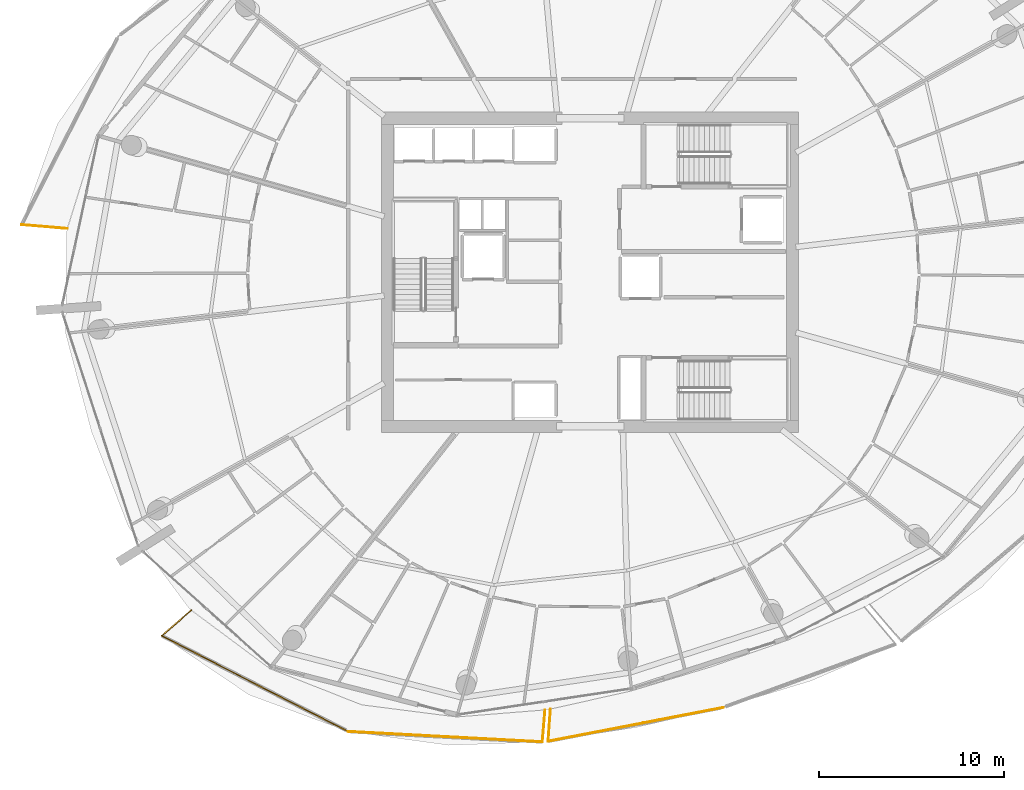
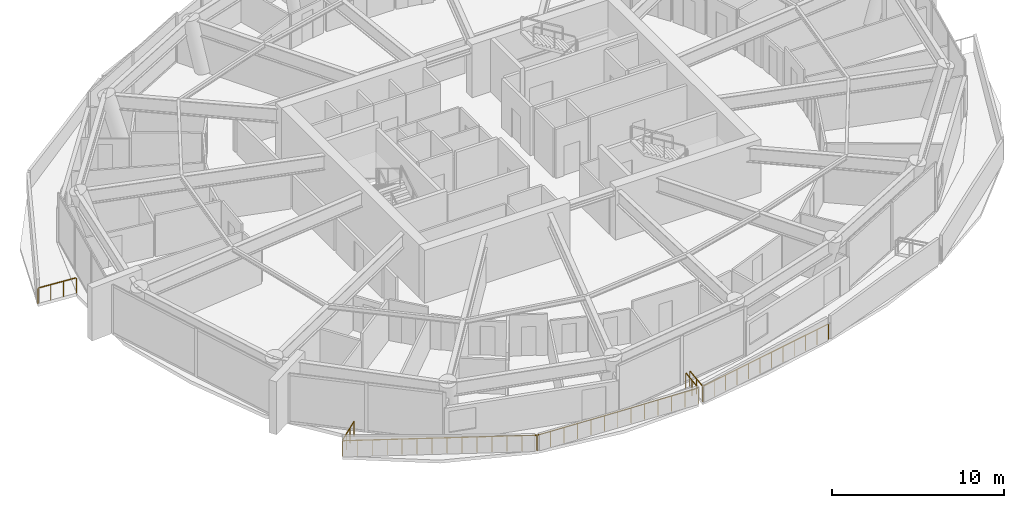
# One storey, part 16 of 20: 7 railings.
"""IFC4 building model written with IfcOpenShell, lengths in metres."""

from ifc_helpers import new_model, si_unit, direction, frame, origin, origin_2d, place, context, subcontext, project, spatial, rectangle, extrude, material, type_object, element, save


model = new_model("IFC4")

# Units and contexts
model_context = context("Model", 3, precision=1e-05, world=origin(), true_north=direction((0.0, 1.0)))
body_context = subcontext(model_context, "Body", "Model", "MODEL_VIEW")
ifc_project = project(units=[si_unit("LENGTHUNIT", "METRE"), si_unit("AREAUNIT", "SQUARE_METRE"), si_unit("VOLUMEUNIT", "CUBIC_METRE"), si_unit("PLANEANGLEUNIT", "RADIAN"), si_unit("MASSUNIT", "GRAM", prefix="KILO")], contexts=[model_context])

# Site, building, storey
site_placement = place(None, origin())
site = spatial("IfcSite", under=ifc_project, at=site_placement, CompositionType="ELEMENT")
building_placement = place(site_placement, origin())
building = spatial("IfcBuilding", under=site, at=building_placement, Name="Kazma Halo Residences", CompositionType="ELEMENT")
storey_placement = place(building_placement, frame((0.0, 0.0, 221.550048828125)))
storey = spatial("IfcBuildingStorey", under=building, at=storey_placement, Name="L56", CompositionType="ELEMENT", Elevation=221.550048828125)

# Railings
ifc_material = material(Name="Aluminium AW-6063 T6 Brushed Cap Rail", Category="aluminium")
railing_type = type_object("IfcRailingType", Name="RLG-BAL-CAP-1120", PredefinedType="BALUSTRADE", material=ifc_material)
railing_1_placement = place(storey_placement, frame((17.694580078125, 44.5712890625, 0.0)))
element("IfcRailing", 1, at=railing_1_placement, inside=storey, type_object=railing_type, Name="L56 NW wave balcony guard 4", PredefinedType="BALUSTRADE", context=body_context, shape_type="SweptSolid", body=[
    extrude(rectangle(XDim=0.050048828125, YDim=0.050048828125, at=origin_2d()), frame((0.04248046875, -0.003662109375, 1.09521484375), z_axis=(0.996426620015, -0.084462955935, 0.0), x_axis=(0.084462955935, 0.996426620015, 0.0)), (0.0, 0.0, 1.0), 2.39501953125),
    extrude(rectangle(XDim=0.0400390625, YDim=0.0400390625, at=origin_2d()), origin(), (0.0, 0.0, 1.0), 1.05810546875),
    extrude(rectangle(XDim=0.0400390625, YDim=0.0400390625, at=origin_2d()), frame((0.82373046875, -0.06982421875, 0.0)), (0.0, 0.0, 1.0), 1.05810546875),
    extrude(rectangle(XDim=0.0400390625, YDim=0.0400390625, at=origin_2d()), frame((1.6474609375, -0.1396484375, 0.0)), (0.0, 0.0, 1.0), 1.05810546875),
    extrude(rectangle(XDim=0.0400390625, YDim=0.0400390625, at=origin_2d()), frame((2.47119140625, -0.20947265625, 0.0)), (0.0, 0.0, 1.0), 1.05810546875),
])
railing_2_placement = place(storey_placement, frame((26.869873046875, 23.728759765625, 0.0)))
element("IfcRailing", 2, at=railing_2_placement, inside=storey, type_object=railing_type, Name="L56 SW wave balcony guard 1", PredefinedType="BALUSTRADE", context=body_context, shape_type="SweptSolid", body=[
    extrude(rectangle(XDim=0.050048828125, YDim=0.050048828125, at=origin_2d()), frame((-0.0322265625, -0.02783203125, 1.09521484375), z_axis=(-0.756463763216, -0.654035606783, 0.0), x_axis=(0.654035606783, -0.756463763216, 0.0)), (0.0, 0.0, 1.0), 2.0244140625),
    extrude(rectangle(XDim=0.0400390625, YDim=0.0400390625, at=origin_2d()), origin(), (0.0, 0.0, 1.0), 1.05810546875),
    extrude(rectangle(XDim=0.0400390625, YDim=0.0400390625, at=origin_2d()), frame((-0.531982421875, -0.4599609375, 0.0)), (0.0, 0.0, 1.0), 1.05810546875),
    extrude(rectangle(XDim=0.0400390625, YDim=0.0400390625, at=origin_2d()), frame((-1.063720703125, -0.919677734375, 0.0)), (0.0, 0.0, 1.0), 1.05810546875),
    extrude(rectangle(XDim=0.0400390625, YDim=0.0400390625, at=origin_2d()), frame((-1.595703125, -1.379638671875, 0.0)), (0.0, 0.0, 1.0), 1.05810546875),
])
railing_3_placement = place(storey_placement, frame((25.274169921875, 22.34912109375, 0.0)))
element("IfcRailing", 3, at=railing_3_placement, inside=storey, type_object=railing_type, Name="L56 SW wave balcony guard 2", PredefinedType="BALUSTRADE", context=body_context, shape_type="SweptSolid", body=[
    extrude(rectangle(XDim=0.050048828125, YDim=0.050048828125, at=origin_2d()), frame((0.037841796875, -0.01953125, 1.09521484375), z_axis=(0.889661682409, -0.456620291766, 0.0), x_axis=(0.456620291766, 0.889661682409, 0.0)), (0.0, 0.0, 1.0), 11.242431640625),
    extrude(rectangle(XDim=0.0400390625, YDim=0.0400390625, at=origin_2d()), origin(), (0.0, 0.0, 1.0), 1.05810546875),
    extrude(rectangle(XDim=0.0400390625, YDim=0.0400390625, at=origin_2d()), frame((0.775146484375, -0.39794921875, 0.0)), (0.0, 0.0, 1.0), 1.05810546875),
    extrude(rectangle(XDim=0.0400390625, YDim=0.0400390625, at=origin_2d()), frame((1.55029296875, -0.795654296875, 0.0)), (0.0, 0.0, 1.0), 1.05810546875),
    extrude(rectangle(XDim=0.0400390625, YDim=0.0400390625, at=origin_2d()), frame((2.32568359375, -1.193603515625, 0.0)), (0.0, 0.0, 1.0), 1.05810546875),
    extrude(rectangle(XDim=0.0400390625, YDim=0.0400390625, at=origin_2d()), frame((3.100830078125, -1.591552734375, 0.0)), (0.0, 0.0, 1.0), 1.05810546875),
    extrude(rectangle(XDim=0.0400390625, YDim=0.0400390625, at=origin_2d()), frame((3.8759765625, -1.9892578125, 0.0)), (0.0, 0.0, 1.0), 1.05810546875),
    extrude(rectangle(XDim=0.0400390625, YDim=0.0400390625, at=origin_2d()), frame((4.651123046875, -2.38720703125, 0.0)), (0.0, 0.0, 1.0), 1.05810546875),
    extrude(rectangle(XDim=0.0400390625, YDim=0.0400390625, at=origin_2d()), frame((5.426513671875, -2.78515625, 0.0)), (0.0, 0.0, 1.0), 1.05810546875),
    extrude(rectangle(XDim=0.0400390625, YDim=0.0400390625, at=origin_2d()), frame((6.20166015625, -3.18310546875, 0.0)), (0.0, 0.0, 1.0), 1.05810546875),
    extrude(rectangle(XDim=0.0400390625, YDim=0.0400390625, at=origin_2d()), frame((6.976806640625, -3.580810546875, 0.0)), (0.0, 0.0, 1.0), 1.05810546875),
    extrude(rectangle(XDim=0.0400390625, YDim=0.0400390625, at=origin_2d()), frame((7.751953125, -3.978759765625, 0.0)), (0.0, 0.0, 1.0), 1.05810546875),
    extrude(rectangle(XDim=0.0400390625, YDim=0.0400390625, at=origin_2d()), frame((8.52734375, -4.376708984375, 0.0)), (0.0, 0.0, 1.0), 1.05810546875),
    extrude(rectangle(XDim=0.0400390625, YDim=0.0400390625, at=origin_2d()), frame((9.302490234375, -4.7744140625, 0.0)), (0.0, 0.0, 1.0), 1.05810546875),
    extrude(rectangle(XDim=0.0400390625, YDim=0.0400390625, at=origin_2d()), frame((10.07763671875, -5.17236328125, 0.0)), (0.0, 0.0, 1.0), 1.05810546875),
])
railing_4_placement = place(storey_placement, frame((35.351806640625, 17.1767578125, 0.0)))
element("IfcRailing", 4, at=railing_4_placement, inside=storey, type_object=railing_type, Name="L56 SW wave balcony guard 3", PredefinedType="BALUSTRADE", context=body_context, shape_type="SweptSolid", body=[
    extrude(rectangle(XDim=0.050048828125, YDim=0.050048828125, at=origin_2d()), frame((0.04248046875, -0.002197265625, 1.09521484375), z_axis=(0.998572804147, -0.05340744159, 0.0), x_axis=(0.05340744159, 0.998572804147, 0.0)), (0.0, 0.0, 1.0), 10.42431640625),
    extrude(rectangle(XDim=0.0400390625, YDim=0.0400390625, at=origin_2d()), origin(), (0.0, 0.0, 1.0), 1.05810546875),
    extrude(rectangle(XDim=0.0400390625, YDim=0.0400390625, at=origin_2d()), frame((0.87451171875, -0.046875, 0.0)), (0.0, 0.0, 1.0), 1.05810546875),
    extrude(rectangle(XDim=0.0400390625, YDim=0.0400390625, at=origin_2d()), frame((1.7490234375, -0.093505859375, 0.0)), (0.0, 0.0, 1.0), 1.05810546875),
    extrude(rectangle(XDim=0.0400390625, YDim=0.0400390625, at=origin_2d()), frame((2.62353515625, -0.140380859375, 0.0)), (0.0, 0.0, 1.0), 1.05810546875),
    extrude(rectangle(XDim=0.0400390625, YDim=0.0400390625, at=origin_2d()), frame((3.498046875, -0.18701171875, 0.0)), (0.0, 0.0, 1.0), 1.05810546875),
    extrude(rectangle(XDim=0.0400390625, YDim=0.0400390625, at=origin_2d()), frame((4.37255859375, -0.23388671875, 0.0)), (0.0, 0.0, 1.0), 1.05810546875),
    extrude(rectangle(XDim=0.0400390625, YDim=0.0400390625, at=origin_2d()), frame((5.2470703125, -0.28076171875, 0.0)), (0.0, 0.0, 1.0), 1.05810546875),
    extrude(rectangle(XDim=0.0400390625, YDim=0.0400390625, at=origin_2d()), frame((6.121826171875, -0.327392578125, 0.0)), (0.0, 0.0, 1.0), 1.05810546875),
    extrude(rectangle(XDim=0.0400390625, YDim=0.0400390625, at=origin_2d()), frame((6.996337890625, -0.374267578125, 0.0)), (0.0, 0.0, 1.0), 1.05810546875),
    extrude(rectangle(XDim=0.0400390625, YDim=0.0400390625, at=origin_2d()), frame((7.870849609375, -0.4208984375, 0.0)), (0.0, 0.0, 1.0), 1.05810546875),
    extrude(rectangle(XDim=0.0400390625, YDim=0.0400390625, at=origin_2d()), frame((8.745361328125, -0.4677734375, 0.0)), (0.0, 0.0, 1.0), 1.05810546875),
    extrude(rectangle(XDim=0.0400390625, YDim=0.0400390625, at=origin_2d()), frame((9.619873046875, -0.514404296875, 0.0)), (0.0, 0.0, 1.0), 1.05810546875),
    extrude(rectangle(XDim=0.0400390625, YDim=0.0400390625, at=origin_2d()), frame((10.494384765625, -0.561279296875, 0.0)), (0.0, 0.0, 1.0), 1.05810546875),
])
railing_5_placement = place(storey_placement, frame((45.84619140625, 16.615478515625, 0.0)))
element("IfcRailing", 5, at=railing_5_placement, inside=storey, type_object=railing_type, Name="L56 SW wave balcony guard 4", PredefinedType="BALUSTRADE", context=body_context, shape_type="SweptSolid", body=[
    extrude(rectangle(XDim=0.050048828125, YDim=0.050048828125, at=origin_2d()), frame((0.003662109375, 0.04248046875, 1.09521484375), z_axis=(0.084582809101, 0.996416453299, 0.0), x_axis=(-0.996416453299, 0.084582809101, 0.0)), (0.0, 0.0, 1.0), 1.649658203125),
    extrude(rectangle(XDim=0.0400390625, YDim=0.0400390625, at=origin_2d()), origin(), (0.0, 0.0, 1.0), 1.05810546875),
    extrude(rectangle(XDim=0.0400390625, YDim=0.0400390625, at=origin_2d()), frame((0.0732421875, 0.8642578125, 0.0)), (0.0, 0.0, 1.0), 1.05810546875),
    extrude(rectangle(XDim=0.0400390625, YDim=0.0400390625, at=origin_2d()), frame((0.146728515625, 1.728515625, 0.0)), (0.0, 0.0, 1.0), 1.05810546875),
])
railing_6_placement = place(storey_placement, frame((46.286865234375, 18.387939453125, 0.0)))
element("IfcRailing", 6, at=railing_6_placement, inside=storey, type_object=railing_type, Name="L56 SSE wave balcony guard 1", PredefinedType="BALUSTRADE", context=body_context, shape_type="SweptSolid", body=[
    extrude(rectangle(XDim=0.050048828125, YDim=0.050048828125, at=origin_2d()), frame((-0.003173828125, -0.04248046875, 1.09521484375), z_axis=(-0.072381236499, -0.997377038337, 0.0), x_axis=(0.997377038337, -0.072381236499, 0.0)), (0.0, 0.0, 1.0), 1.65869140625),
    extrude(rectangle(XDim=0.0400390625, YDim=0.0400390625, at=origin_2d()), origin(), (0.0, 0.0, 1.0), 1.05810546875),
    extrude(rectangle(XDim=0.0400390625, YDim=0.0400390625, at=origin_2d()), frame((-0.06298828125, -0.86962890625, 0.0)), (0.0, 0.0, 1.0), 1.05810546875),
    extrude(rectangle(XDim=0.0400390625, YDim=0.0400390625, at=origin_2d()), frame((-0.126220703125, -1.7392578125, 0.0)), (0.0, 0.0, 1.0), 1.05810546875),
])
railing_7_placement = place(storey_placement, frame((46.16064453125, 16.648681640625, 0.0)))
element("IfcRailing", 7, at=railing_7_placement, inside=storey, type_object=railing_type, Name="L56 SSE wave balcony guard 2", PredefinedType="BALUSTRADE", context=body_context, shape_type="SweptSolid", body=[
    extrude(rectangle(XDim=0.050048828125, YDim=0.050048828125, at=origin_2d()), frame((0.041748046875, 0.008056640625, 1.09521484375), z_axis=(0.981918343352, 0.189304957647, 0.0), x_axis=(-0.189304957647, 0.981918343352, 0.0)), (0.0, 0.0, 1.0), 9.572021484375),
    extrude(rectangle(XDim=0.0400390625, YDim=0.0400390625, at=origin_2d()), origin(), (0.0, 0.0, 1.0), 1.05810546875),
    extrude(rectangle(XDim=0.0400390625, YDim=0.0400390625, at=origin_2d()), frame((0.862060546875, 0.166259765625, 0.0)), (0.0, 0.0, 1.0), 1.05810546875),
    extrude(rectangle(XDim=0.0400390625, YDim=0.0400390625, at=origin_2d()), frame((1.72412109375, 0.332275390625, 0.0)), (0.0, 0.0, 1.0), 1.05810546875),
    extrude(rectangle(XDim=0.0400390625, YDim=0.0400390625, at=origin_2d()), frame((2.586181640625, 0.49853515625, 0.0)), (0.0, 0.0, 1.0), 1.05810546875),
    extrude(rectangle(XDim=0.0400390625, YDim=0.0400390625, at=origin_2d()), frame((3.4482421875, 0.664794921875, 0.0)), (0.0, 0.0, 1.0), 1.05810546875),
    extrude(rectangle(XDim=0.0400390625, YDim=0.0400390625, at=origin_2d()), frame((4.310302734375, 0.8310546875, 0.0)), (0.0, 0.0, 1.0), 1.05810546875),
    extrude(rectangle(XDim=0.0400390625, YDim=0.0400390625, at=origin_2d()), frame((5.172119140625, 0.9970703125, 0.0)), (0.0, 0.0, 1.0), 1.05810546875),
    extrude(rectangle(XDim=0.0400390625, YDim=0.0400390625, at=origin_2d()), frame((6.0341796875, 1.163330078125, 0.0)), (0.0, 0.0, 1.0), 1.05810546875),
    extrude(rectangle(XDim=0.0400390625, YDim=0.0400390625, at=origin_2d()), frame((6.896240234375, 1.32958984375, 0.0)), (0.0, 0.0, 1.0), 1.05810546875),
    extrude(rectangle(XDim=0.0400390625, YDim=0.0400390625, at=origin_2d()), frame((7.75830078125, 1.495849609375, 0.0)), (0.0, 0.0, 1.0), 1.05810546875),
    extrude(rectangle(XDim=0.0400390625, YDim=0.0400390625, at=origin_2d()), frame((8.620361328125, 1.661865234375, 0.0)), (0.0, 0.0, 1.0), 1.05810546875),
    extrude(rectangle(XDim=0.0400390625, YDim=0.0400390625, at=origin_2d()), frame((9.482421875, 1.828125, 0.0)), (0.0, 0.0, 1.0), 1.05810546875),
])

save(model, "model.ifc")
